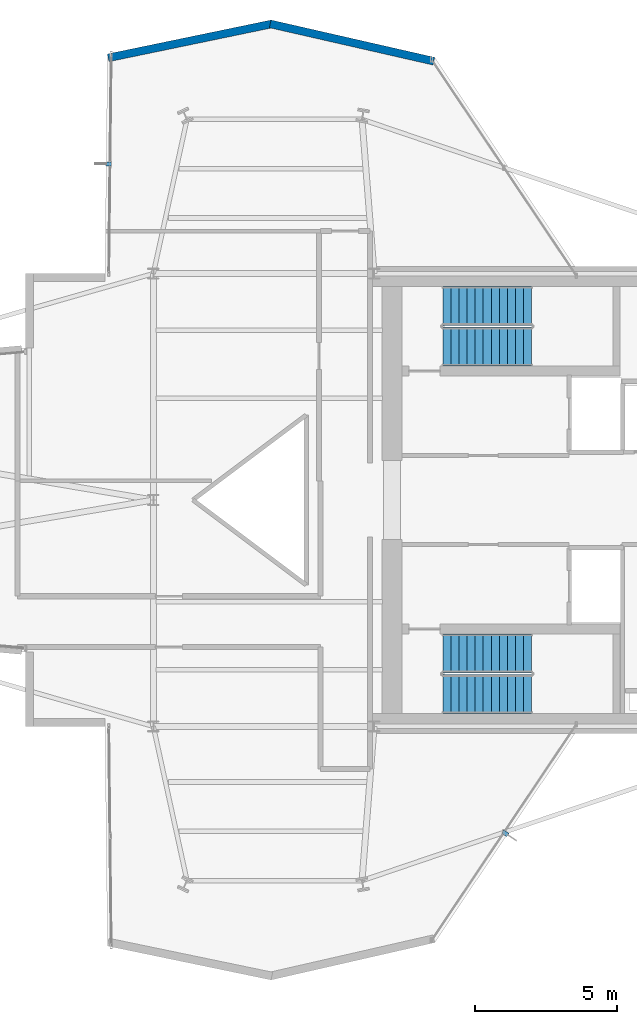
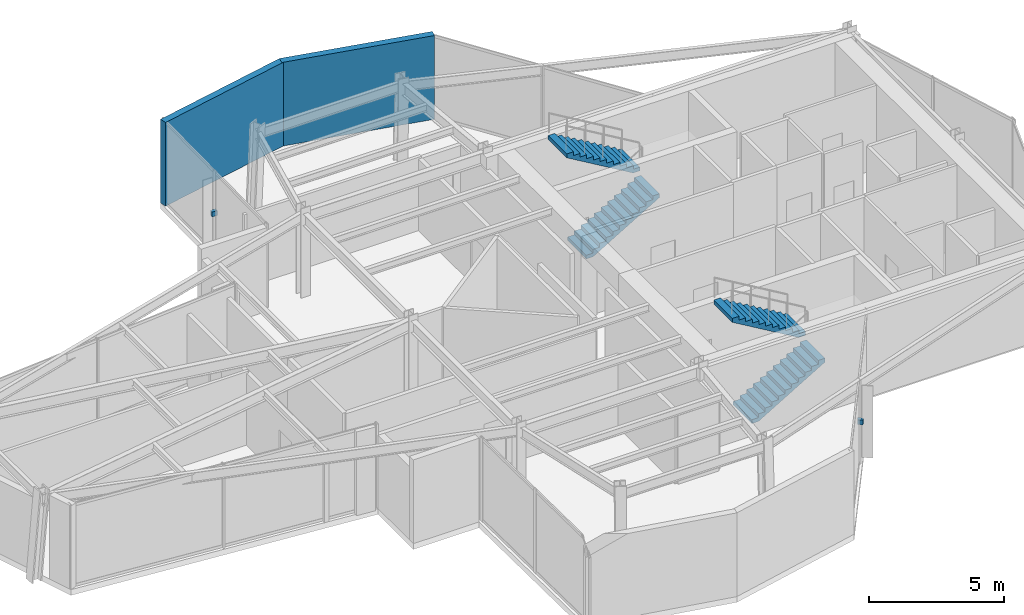
# One storey, part 20 of 21: 4 stair flights, 2 discrete accessories, 2 walls, 2 elements without a shape of their own.
"""IFC4 building model written with IfcOpenShell, lengths in metres."""

from ifc_helpers import new_model, si_unit, direction, frame, frame_2d, origin, origin_2d, place, context, subcontext, project, spatial, polyline, rectangle, outline, extrude, material, layer, layer_set, type_object, element, aggregate, save


model = new_model("IFC4")

# Units and contexts
model_context = context("Model", 3, precision=1e-05, world=origin(), true_north=direction((0.0, 1.0)))
body_context = subcontext(model_context, "Body", "Model", "MODEL_VIEW")
ifc_project = project(units=[si_unit("LENGTHUNIT", "METRE"), si_unit("AREAUNIT", "SQUARE_METRE"), si_unit("VOLUMEUNIT", "CUBIC_METRE"), si_unit("PLANEANGLEUNIT", "RADIAN"), si_unit("MASSUNIT", "GRAM", prefix="KILO")], contexts=[model_context])

# Site, building, storey
site_placement = place(None, origin())
site = spatial("IfcSite", under=ifc_project, at=site_placement, CompositionType="ELEMENT")
building_placement = place(site_placement, origin())
building = spatial("IfcBuilding", under=site, at=building_placement, Name="Veymaron Broadcast Tower", CompositionType="ELEMENT")
storey_placement = place(building_placement, frame((0.0, 0.0, 212.10009765625)))
storey = spatial("IfcBuildingStorey", under=building, at=storey_placement, Name="L49", CompositionType="ELEMENT", Elevation=212.10009765625)

# Walls
ifc_material_1 = material(Name="Precast concrete C40/50", Category="concrete")
ifc_layer_1 = layer(ifc_material_1, 0.280029296875)
ifc_layer_set_1 = layer_set([ifc_layer_1], Name="Precast concrete C40/50")
wall_type = type_object("IfcWallType", Name="WALL-EXT-280", PredefinedType="STANDARD", material=ifc_layer_set_1)
wall_1_placement = place(storey_placement, frame((41.11328125, 39.50341796875, 0.0), z_axis=(0.0, 0.0, 1.0), x_axis=(-0.974934808954, 0.222490715064, 0.0)))
element("IfcWall", 1, at=wall_1_placement, inside=storey, type_object=wall_type, Name="L49 notched corner facade pier 6-1", PredefinedType="STANDARD", context=body_context, shape_type="SweptSolid", body=[
    extrude(rectangle(XDim=5.93310546875, YDim=0.280029296875, at=frame_2d((2.966552734375, 0.0))), origin(), (0.0, 0.0, 1.0), 3.789794921875),
])
wall_2_placement = place(storey_placement, frame((35.388427734375, 40.822998046875, 0.0), z_axis=(0.0, 0.0, 1.0), x_axis=(-0.979145472124, -0.203160390873, 0.0)))
element("IfcWall", 2, at=wall_2_placement, inside=storey, type_object=wall_type, Name="L49 notched corner facade pier 7-1", PredefinedType="STANDARD", context=body_context, shape_type="SweptSolid", body=[
    extrude(rectangle(XDim=5.90771484375, YDim=0.280029296875, at=frame_2d((2.953857421875, 0.0))), origin(), (0.0, 0.0, 1.0), 3.789794921875),
])

# Stair, stair flights
ifc_material_2 = material(Name="Concrete C50/60", Category="concrete")
stair_type_1 = type_object("IfcStairType", Name="STAIR-CORE-1", PredefinedType="HALF_TURN_STAIR", material=ifc_material_2)
stair_1_placement = place(storey_placement, origin())
stair_1 = element("IfcStair", 3, at=stair_1_placement, inside=storey, type_object=stair_type_1, Name="L49 North protected dog-leg exit stair ST1", PredefinedType="HALF_TURN_STAIR")
ifc_material_3 = material(Name="Precast concrete C50/60", Category="concrete")
stair_flight_type = type_object("IfcStairFlightType", Name="FLT-CORE-RC", PredefinedType="STRAIGHT", material=ifc_material_3)
stair_flight_1_placement = place(storey_placement, frame((41.429931640625, 29.419921875, 0.0), z_axis=(0.0, 0.0, 1.0), x_axis=(1.0, 0.0, 0.0)))
stair_flight_1 = element("IfcStairFlight", 4, at=stair_flight_1_placement, type_object=stair_flight_type, Name="ST1 flight 1", NumberOfRisers=12, NumberOfTreads=11, PredefinedType="STRAIGHT", RiserHeight=0.16875, TreadLength=0.285, context=body_context, shape_type="SweptSolid", body=[
    extrude(outline(polyline([(0.0, 0.0), (0.0, 0.168701171875), (0.284912109375, 0.168701171875), (0.284912109375, 0.33740234375), (0.570068359375, 0.33740234375), (0.570068359375, 0.50634765625), (0.85498046875, 0.50634765625), (0.85498046875, 0.675048828125), (1.139892578125, 0.675048828125), (1.139892578125, 0.84375), (1.425048828125, 0.84375), (1.425048828125, 1.012451171875), (1.7099609375, 1.012451171875), (1.7099609375, 1.18115234375), (1.9951171875, 1.18115234375), (1.9951171875, 1.35009765625), (2.280029296875, 1.35009765625), (2.280029296875, 1.518798828125), (2.56494140625, 1.518798828125), (2.56494140625, 1.6875), (2.85009765625, 1.6875), (2.85009765625, 1.856201171875), (3.135009765625, 1.856201171875), (3.135009765625, 2.02490234375), (3.135009765625, 1.68212890625), (0.294189453125, 0.0), (0.0, 0.0)])), frame((0.0, 0.68994140625, 0.0), z_axis=(0.0, -1.0, 0.0), x_axis=(1.0, 0.0, 0.0)), (0.0, 0.0, 1.0), 1.3798828125),
])
stair_flight_2_placement = place(storey_placement, frame((44.56494140625, 30.860107421875, 2.02490234375), z_axis=(0.0, 0.0, 1.0), x_axis=(-1.0, 0.0, 0.0)))
stair_flight_2 = element("IfcStairFlight", 5, at=stair_flight_2_placement, type_object=stair_flight_type, Name="ST1 flight 2", NumberOfRisers=12, NumberOfTreads=11, PredefinedType="STRAIGHT", RiserHeight=0.16875, TreadLength=0.285, context=body_context, shape_type="SweptSolid", body=[
    extrude(outline(polyline([(0.0, 0.0), (0.0, 0.168701171875), (0.284912109375, 0.168701171875), (0.284912109375, 0.33740234375), (0.570068359375, 0.33740234375), (0.570068359375, 0.50634765625), (0.85498046875, 0.50634765625), (0.85498046875, 0.675048828125), (1.139892578125, 0.675048828125), (1.139892578125, 0.84375), (1.425048828125, 0.84375), (1.425048828125, 1.012451171875), (1.7099609375, 1.012451171875), (1.7099609375, 1.18115234375), (1.9951171875, 1.18115234375), (1.9951171875, 1.35009765625), (2.280029296875, 1.35009765625), (2.280029296875, 1.518798828125), (2.56494140625, 1.518798828125), (2.56494140625, 1.6875), (2.85009765625, 1.6875), (2.85009765625, 1.856201171875), (3.135009765625, 1.856201171875), (3.135009765625, 2.02490234375), (3.135009765625, 1.68212890625), (0.294189453125, 0.0), (0.0, 0.0)])), frame((0.0, 0.68994140625, 0.0), z_axis=(0.0, -1.0, 0.0), x_axis=(1.0, 0.0, 0.0)), (0.0, 0.0, 1.0), 1.3798828125),
])
aggregate(stair_1, [stair_flight_1, stair_flight_2])

stair_type_2 = type_object("IfcStairType", Name="STAIR-CORE-2", PredefinedType="HALF_TURN_STAIR", material=ifc_material_2)
stair_2_placement = place(storey_placement, origin())
stair_2 = element("IfcStair", 6, at=stair_2_placement, inside=storey, type_object=stair_type_2, Name="L49 South protected dog-leg exit stair ST2", PredefinedType="HALF_TURN_STAIR")
stair_flight_3_placement = place(storey_placement, frame((41.429931640625, 17.139892578125, 0.0), z_axis=(0.0, 0.0, 1.0), x_axis=(1.0, 0.0, 0.0)))
stair_flight_3 = element("IfcStairFlight", 7, at=stair_flight_3_placement, type_object=stair_flight_type, Name="ST2 flight 1", NumberOfRisers=12, NumberOfTreads=11, PredefinedType="STRAIGHT", RiserHeight=0.16875, TreadLength=0.285, context=body_context, shape_type="SweptSolid", body=[
    extrude(outline(polyline([(0.0, 0.0), (0.0, 0.168701171875), (0.284912109375, 0.168701171875), (0.284912109375, 0.33740234375), (0.570068359375, 0.33740234375), (0.570068359375, 0.50634765625), (0.85498046875, 0.50634765625), (0.85498046875, 0.675048828125), (1.139892578125, 0.675048828125), (1.139892578125, 0.84375), (1.425048828125, 0.84375), (1.425048828125, 1.012451171875), (1.7099609375, 1.012451171875), (1.7099609375, 1.18115234375), (1.9951171875, 1.18115234375), (1.9951171875, 1.35009765625), (2.280029296875, 1.35009765625), (2.280029296875, 1.518798828125), (2.56494140625, 1.518798828125), (2.56494140625, 1.6875), (2.85009765625, 1.6875), (2.85009765625, 1.856201171875), (3.135009765625, 1.856201171875), (3.135009765625, 2.02490234375), (3.135009765625, 1.68212890625), (0.294189453125, 0.0), (0.0, 0.0)])), frame((0.0, 0.68994140625, 0.0), z_axis=(0.0, -1.0, 0.0), x_axis=(1.0, 0.0, 0.0)), (0.0, 0.0, 1.0), 1.3798828125),
])
stair_flight_4_placement = place(storey_placement, frame((44.56494140625, 18.580078125, 2.02490234375), z_axis=(0.0, 0.0, 1.0), x_axis=(-1.0, 0.0, 0.0)))
stair_flight_4 = element("IfcStairFlight", 8, at=stair_flight_4_placement, type_object=stair_flight_type, Name="ST2 flight 2", NumberOfRisers=12, NumberOfTreads=11, PredefinedType="STRAIGHT", RiserHeight=0.16875, TreadLength=0.285, context=body_context, shape_type="SweptSolid", body=[
    extrude(outline(polyline([(0.0, 0.0), (0.0, 0.168701171875), (0.284912109375, 0.168701171875), (0.284912109375, 0.33740234375), (0.570068359375, 0.33740234375), (0.570068359375, 0.50634765625), (0.85498046875, 0.50634765625), (0.85498046875, 0.675048828125), (1.139892578125, 0.675048828125), (1.139892578125, 0.84375), (1.425048828125, 0.84375), (1.425048828125, 1.012451171875), (1.7099609375, 1.012451171875), (1.7099609375, 1.18115234375), (1.9951171875, 1.18115234375), (1.9951171875, 1.35009765625), (2.280029296875, 1.35009765625), (2.280029296875, 1.518798828125), (2.56494140625, 1.518798828125), (2.56494140625, 1.6875), (2.85009765625, 1.6875), (2.85009765625, 1.856201171875), (3.135009765625, 1.856201171875), (3.135009765625, 2.02490234375), (3.135009765625, 1.68212890625), (0.294189453125, 0.0), (0.0, 0.0)])), frame((0.0, 0.68994140625, 0.0), z_axis=(0.0, -1.0, 0.0), x_axis=(1.0, 0.0, 0.0)), (0.0, 0.0, 1.0), 1.3798828125),
])
aggregate(stair_2, [stair_flight_3, stair_flight_4])

# Discrete accessories
ifc_material_4 = material(Name="Austenitic stainless steel AISI 316L", Category="steel")
ifc_layer_2 = layer(ifc_material_4, 0.1201171875)
ifc_layer_set_2 = layer_set([ifc_layer_2], Name="Austenitic stainless steel AISI 316L")
discrete_accessory_type = type_object("IfcDiscreteAccessoryType", Name="ACC-BRKT-SS1", PredefinedType="BRACKET", material=ifc_layer_set_2)
for number, where, z_axis, x_axis, name in (
    (9, (29.6123046875, 35.879150390625, 1.78515625), (0.0, 0.0, 1.0), (-0.9999378098, 0.011152422724, 0.0), "CW-L49-E8-1 fin bracket 1"),
    (10, (43.6376953125, 12.224609375, 1.78515625), (0.0, 0.0, 1.0), (0.830741660426, -0.556658147909, 0.0), "CW-L49-E20-1 fin bracket 1"),
):
    element("IfcDiscreteAccessory", number, at=place(storey_placement, frame(where, z_axis=z_axis, x_axis=x_axis)), inside=storey, type_object=discrete_accessory_type, Name=name, PredefinedType="BRACKET", context=body_context, shape_type="SweptSolid", body=[
        extrude(rectangle(XDim=0.219970703125, YDim=0.139892578125, at=origin_2d()), origin(), (0.0, 0.0, 1.0), 0.219970703125),
    ])

save(model, "model.ifc")
